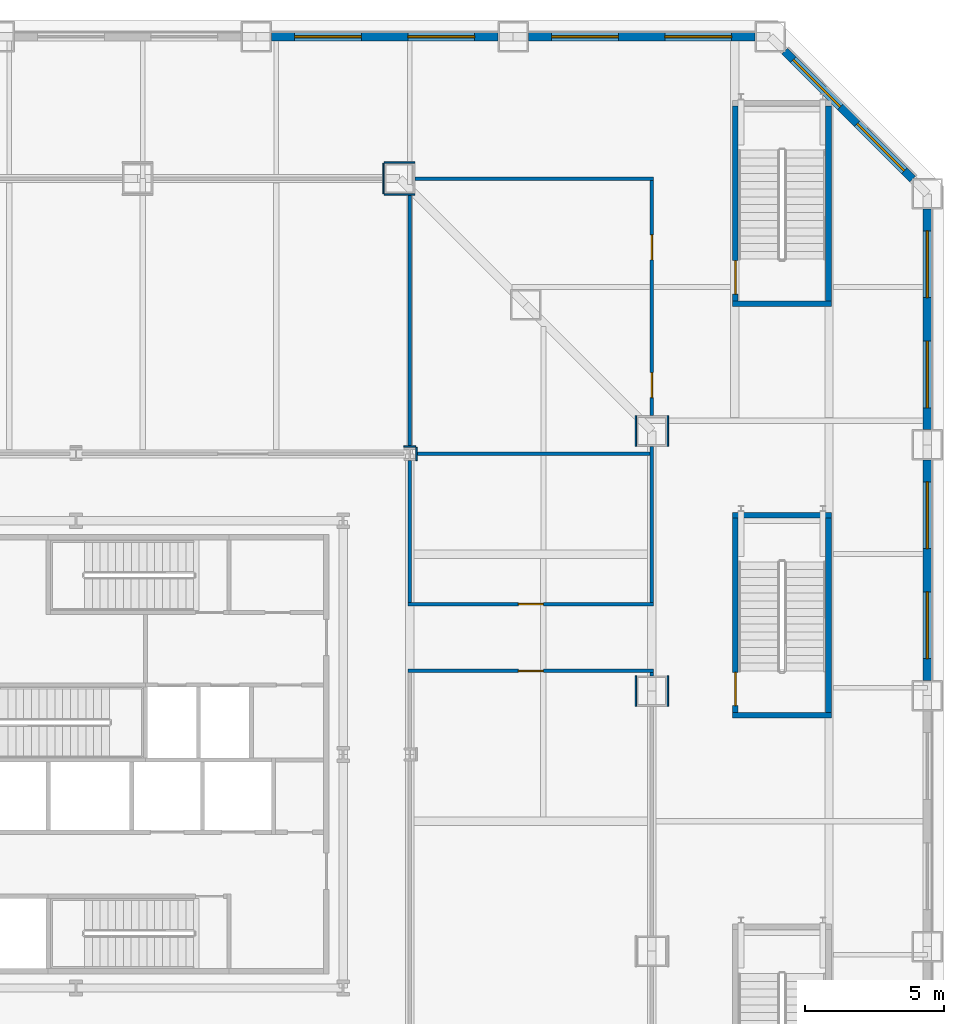
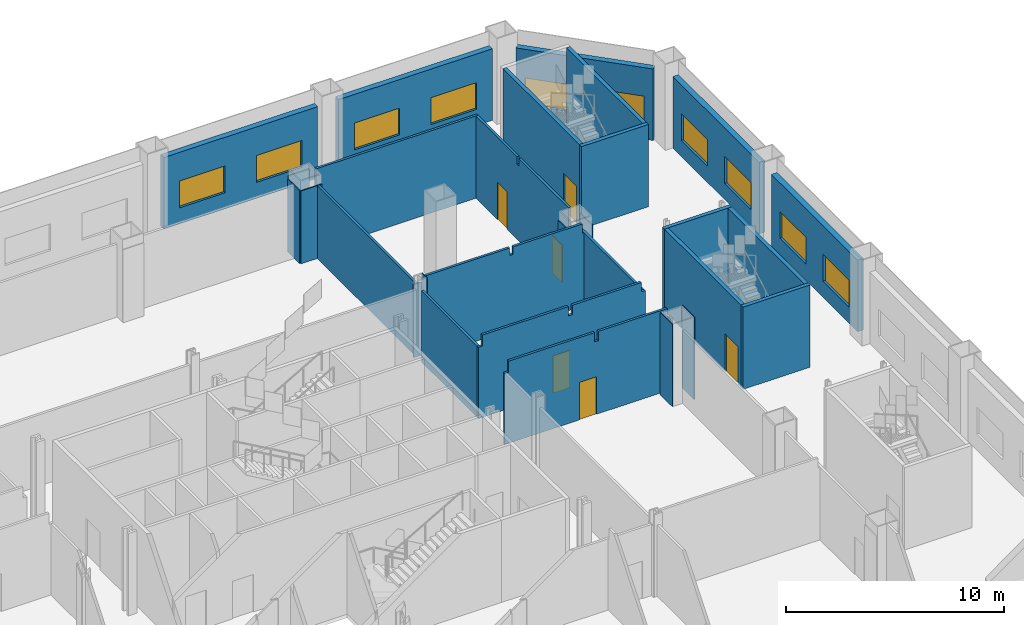
# One storey, part 18 of 25: 30 walls, 10 windows, 6 doors, 16 openings.
"""IFC4 building model written with IfcOpenShell, lengths in metres."""

from ifc_helpers import new_model, si_unit, direction, frame, frame_2d, origin, place, context, subcontext, project, spatial, polyline, rectangle, outline, extrude, material, layer, layer_set, type_object, element, fill, save


model = new_model("IFC4")

# Units and contexts
model_context = context("Model", 3, precision=1e-05, world=origin(), true_north=direction((0.0, 1.0)))
body_context = subcontext(model_context, "Body", "Model", "MODEL_VIEW")
ifc_project = project(units=[si_unit("LENGTHUNIT", "METRE"), si_unit("AREAUNIT", "SQUARE_METRE"), si_unit("VOLUMEUNIT", "CUBIC_METRE"), si_unit("PLANEANGLEUNIT", "RADIAN"), si_unit("MASSUNIT", "GRAM", prefix="KILO")], contexts=[model_context])

# Site, building, storey
site_placement = place(None, origin())
site = spatial("IfcSite", under=ifc_project, at=site_placement, CompositionType="ELEMENT")
building_placement = place(site_placement, origin())
building = spatial("IfcBuilding", under=site, at=building_placement, Name="Cairn Pilgrim Tower", CompositionType="ELEMENT")
storey_placement = place(building_placement, frame((0.0, 0.0, 30.60009765625)))
storey = spatial("IfcBuildingStorey", under=building, at=storey_placement, Name="L05", CompositionType="ELEMENT", Elevation=30.60009765625)

# Wall
ifc_material_1 = material(Name="Gypsum partition")
ifc_layer_1 = layer(ifc_material_1, 0.125)
ifc_layer_set_1 = layer_set([ifc_layer_1], Name="PARTITION 125 DRYWALL EI 60")
wall_type_1 = type_object("IfcWallType", Name="PARTITION 125 DRYWALL EI 60", PredefinedType="PARTITIONING", material=ifc_layer_set_1)
wall_1_placement = place(storey_placement, frame((27.89990234375, 5.2255859375, 0.0), z_axis=(0.0, 0.0, 1.0), x_axis=(0.0, 1.0, 0.0)))
element("IfcWall", 1, at=wall_1_placement, inside=storey, type_object=wall_type_1, Name="PARTITION W043", PredefinedType="PARTITIONING", context=body_context, shape_type="SweptSolid", body=[
    extrude(rectangle(XDim=0.11181640625, YDim=0.125, at=frame_2d((0.055908203125, 0.0))), origin(), (0.0, 0.0, 1.0), 4.079833984375),
])

# Wall, opening, door
wall_2_placement = place(storey_placement, frame((19.137451171875, 5.39990234375, 0.0), z_axis=(0.0, 0.0, 1.0), x_axis=(1.0, 0.0, 0.0)))
wall_2 = element("IfcWall", 2, at=wall_2_placement, inside=storey, type_object=wall_type_1, Name="PARTITION W045", PredefinedType="PARTITIONING", context=body_context, shape_type="SweptSolid", body=[
    extrude(outline(polyline([(0.0, 0.0), (8.824951171875, 0.0), (8.824951171875, 4.079833984375), (8.612548828125, 4.079833984375), (8.610595703125, 4.599853515625), (4.96240234375, 4.599853515625), (4.96044921875, 4.079833984375), (4.762451171875, 4.079833984375), (4.760498046875, 4.599853515625), (0.21240234375, 4.599853515625), (0.21044921875, 3.97998046875), (0.0, 3.97998046875), (0.0, 0.0)])), frame((0.0, 0.0625, 0.0), z_axis=(0.0, -1.0, 0.0), x_axis=(1.0, 0.0, 0.0)), (0.0, 0.0, 1.0), 0.125),
])
opening_1_placement = place(wall_2_placement, frame((3.96240234375, 0.0, 0.0)))
opening_1 = element("IfcOpeningElement", 3, at=opening_1_placement, cuts=wall_2, Name="Opening 0515", PredefinedType="OPENING", context=body_context, shape_type="SweptSolid", body=[
    extrude(rectangle(XDim=0.89990234375, YDim=2.10009765625, at=frame_2d((0.449951171875, 1.050048828125))), frame((0.0, 0.072509765625, 0.0), z_axis=(0.0, -1.0, 0.0), x_axis=(1.0, 0.0, 0.0)), (0.0, 0.0, 1.0), 0.14501953125),
])
ifc_material_2 = material(Name="Timber door leaf", Category="wood")
door_type_1 = type_object("IfcDoorType", Name="SERVICE DOOR 900x2100 FD30S", OperationType="NOTDEFINED", PredefinedType="DOOR", material=ifc_material_2)
door_1_placement = place(opening_1_placement, origin())
door_1 = element("IfcDoor", 4, at=door_1_placement, inside=storey, type_object=door_type_1, Name="DOOR 0515", OperationType="SINGLE_SWING_LEFT", OverallHeight=2.10009765625, OverallWidth=0.89990234375, PredefinedType="DOOR", context=body_context, shape_type="SweptSolid", body=[
    extrude(rectangle(XDim=0.89990234375, YDim=2.10009765625, at=frame_2d((0.449951171875, 1.050048828125))), frame((0.0, 0.02490234375, 0.0), z_axis=(0.0, -1.0, 0.0), x_axis=(1.0, 0.0, 0.0)), (0.0, 0.0, 1.0), 0.050048828125),
])
fill(opening_1, door_1)

wall_3_placement = place(storey_placement, frame((19.137451171875, 7.800048828125, 0.0), z_axis=(0.0, 0.0, 1.0), x_axis=(1.0, 0.0, 0.0)))
wall_3 = element("IfcWall", 5, at=wall_3_placement, inside=storey, type_object=wall_type_1, Name="PARTITION W048", PredefinedType="PARTITIONING", context=body_context, shape_type="SweptSolid", body=[
    extrude(outline(polyline([(0.0, 0.0), (8.824951171875, 0.0), (8.824951171875, 4.079833984375), (8.612548828125, 4.079833984375), (8.610595703125, 4.599853515625), (4.96240234375, 4.599853515625), (4.96044921875, 4.079833984375), (4.762451171875, 4.079833984375), (4.760498046875, 4.599853515625), (0.21240234375, 4.599853515625), (0.21044921875, 3.97998046875), (0.0, 3.97998046875), (0.0, 0.0)])), frame((0.0, 0.0625, 0.0), z_axis=(0.0, -1.0, 0.0), x_axis=(1.0, 0.0, 0.0)), (0.0, 0.0, 1.0), 0.125),
])
opening_2_placement = place(wall_3_placement, frame((3.96240234375, 0.0, 0.0)))
opening_2 = element("IfcOpeningElement", 6, at=opening_2_placement, cuts=wall_3, Name="Opening 0514", PredefinedType="OPENING", context=body_context, shape_type="SweptSolid", body=[
    extrude(rectangle(XDim=0.89990234375, YDim=2.10009765625, at=frame_2d((0.449951171875, 1.050048828125))), frame((0.0, 0.072509765625, 0.0), z_axis=(0.0, -1.0, 0.0), x_axis=(1.0, 0.0, 0.0)), (0.0, 0.0, 1.0), 0.14501953125),
])
door_type_2 = type_object("IfcDoorType", Name="ROOM DOOR 900x2100 FD30S", OperationType="NOTDEFINED", PredefinedType="DOOR", material=ifc_material_2)
door_2_placement = place(opening_2_placement, frame((0.89990234375, 0.0, 0.0), z_axis=(0.0, 0.0, 1.0), x_axis=(-1.0, 0.0, 0.0)))
door_2 = element("IfcDoor", 7, at=door_2_placement, inside=storey, type_object=door_type_2, Name="DOOR 0514", OperationType="SINGLE_SWING_RIGHT", OverallHeight=2.10009765625, OverallWidth=0.89990234375, PredefinedType="DOOR", context=body_context, shape_type="SweptSolid", body=[
    extrude(rectangle(XDim=0.89990234375, YDim=2.10009765625, at=frame_2d((0.449951171875, 1.050048828125))), frame((0.0, 0.02490234375, 0.0), z_axis=(0.0, -1.0, 0.0), x_axis=(1.0, 0.0, 0.0)), (0.0, 0.0, 1.0), 0.050048828125),
])
fill(opening_2, door_2)

# Walls
wall_4_placement = place(storey_placement, frame((19.199951171875, 7.862548828125, 0.0), z_axis=(0.0, 0.0, 1.0), x_axis=(0.0, 1.0, 0.0)))
element("IfcWall", 8, at=wall_4_placement, inside=storey, type_object=wall_type_1, Name="PARTITION W052", PredefinedType="PARTITIONING", context=body_context, shape_type="SweptSolid", body=[
    extrude(rectangle(XDim=5.100341796875, YDim=0.125, at=frame_2d((2.55029296875, 0.0))), origin(), (0.0, 0.0, 1.0), 3.97998046875),
])
wall_5_placement = place(storey_placement, frame((27.89990234375, 7.862548828125, 0.0), z_axis=(0.0, 0.0, 1.0), x_axis=(0.0, 1.0, 0.0)))
element("IfcWall", 9, at=wall_5_placement, inside=storey, type_object=wall_type_1, Name="PARTITION W053", PredefinedType="PARTITIONING", context=body_context, shape_type="SweptSolid", body=[
    extrude(rectangle(XDim=5.61474609375, YDim=0.125, at=frame_2d((2.807373046875, 0.0))), origin(), (0.0, 0.0, 1.0), 4.079833984375),
])
wall_6_placement = place(storey_placement, frame((19.412109375, 13.199951171875, 0.0), z_axis=(0.0, 0.0, 1.0), x_axis=(1.0, 0.0, 0.0)))
element("IfcWall", 10, at=wall_6_placement, inside=storey, type_object=wall_type_1, Name="PARTITION W058", PredefinedType="PARTITIONING", context=body_context, shape_type="SweptSolid", body=[
    extrude(outline(polyline([(0.0, 0.0), (8.42529296875, 0.0), (8.425537109375, 4.079833984375), (8.337890625, 4.079833984375), (8.3359375, 4.599853515625), (4.677978515625, 4.599853515625), (4.676025390625, 4.179931640625), (4.498046875, 4.179931640625), (4.49609375, 4.599853515625), (0.0, 4.599853515625), (0.0, 0.0)])), frame((0.0, 0.0625, 0.0), z_axis=(0.0, -1.0, 0.0), x_axis=(1.0, 0.0, 0.0)), (0.0, 0.0, 1.0), 0.125),
])
wall_7_placement = place(storey_placement, frame((19.199951171875, 13.43701171875, 0.0), z_axis=(0.0, 0.0, 1.0), x_axis=(0.0, 1.0, 0.0)))
element("IfcWall", 11, at=wall_7_placement, inside=storey, type_object=wall_type_1, Name="PARTITION W060", PredefinedType="PARTITIONING", context=body_context, shape_type="SweptSolid", body=[
    extrude(rectangle(XDim=9.113037109375, YDim=0.125, at=frame_2d((4.556640625, 0.0))), origin(), (0.0, 0.0, 1.0), 4.079833984375),
])

# Wall, openings, doors
wall_8_placement = place(storey_placement, frame((27.89990234375, 14.5771484375, 0.0), z_axis=(0.0, 0.0, 1.0), x_axis=(0.0, 1.0, 0.0)))
wall_8 = element("IfcWall", 12, at=wall_8_placement, inside=storey, type_object=wall_type_1, Name="PARTITION W061", PredefinedType="PARTITIONING", context=body_context, shape_type="SweptSolid", body=[
    extrude(outline(polyline([(0.0, 0.0), (8.46044921875, 0.0), (8.460205078125, 4.599853515625), (4.712890625, 4.599853515625), (4.710693359375, 4.179931640625), (4.53271484375, 4.179931640625), (4.53076171875, 4.599853515625), (0.0, 4.599853515625), (0.0, 0.0)])), frame((0.0, 0.0625, 0.0), z_axis=(0.0, -1.0, 0.0), x_axis=(1.0, 0.0, 0.0)), (0.0, 0.0, 1.0), 0.125),
])
opening_3_placement = place(wall_8_placement, frame((0.647705078125, 0.0, 0.0)))
opening_3 = element("IfcOpeningElement", 13, at=opening_3_placement, cuts=wall_8, Name="Opening 0516", PredefinedType="OPENING", context=body_context, shape_type="SweptSolid", body=[
    extrude(rectangle(XDim=0.89990234375, YDim=2.10009765625, at=frame_2d((0.449951171875, 1.050048828125))), frame((0.0, 0.072509765625, 0.0), z_axis=(0.0, -1.0, 0.0), x_axis=(1.0, 0.0, 0.0)), (0.0, 0.0, 1.0), 0.14501953125),
])
opening_4_placement = place(wall_8_placement, frame((5.597900390625, 0.0, 0.0)))
opening_4 = element("IfcOpeningElement", 14, at=opening_4_placement, cuts=wall_8, Name="Opening 0517", PredefinedType="OPENING", context=body_context, shape_type="SweptSolid", body=[
    extrude(rectangle(XDim=0.89990234375, YDim=2.10009765625, at=frame_2d((0.449951171875, 1.050048828125))), frame((0.0, 0.072509765625, 0.0), z_axis=(0.0, -1.0, 0.0), x_axis=(1.0, 0.0, 0.0)), (0.0, 0.0, 1.0), 0.14501953125),
])
door_3_placement = place(opening_3_placement, frame((0.89990234375, 0.0, 0.0), z_axis=(0.0, 0.0, 1.0), x_axis=(-1.0, 0.0, 0.0)))
door_3 = element("IfcDoor", 15, at=door_3_placement, inside=storey, type_object=door_type_2, Name="DOOR 0516", OperationType="SINGLE_SWING_RIGHT", OverallHeight=2.10009765625, OverallWidth=0.89990234375, PredefinedType="DOOR", context=body_context, shape_type="SweptSolid", body=[
    extrude(rectangle(XDim=0.89990234375, YDim=2.10009765625, at=frame_2d((0.449951171875, 1.050048828125))), frame((0.0, 0.02490234375, 0.0), z_axis=(0.0, -1.0, 0.0), x_axis=(1.0, 0.0, 0.0)), (0.0, 0.0, 1.0), 0.050048828125),
])
fill(opening_3, door_3)
door_4_placement = place(opening_4_placement, frame((0.89990234375, 0.0, 0.0), z_axis=(0.0, 0.0, 1.0), x_axis=(-1.0, 0.0, 0.0)))
door_4 = element("IfcDoor", 16, at=door_4_placement, inside=storey, type_object=door_type_2, Name="DOOR 0517", OperationType="SINGLE_SWING_LEFT", OverallHeight=2.10009765625, OverallWidth=0.89990234375, PredefinedType="DOOR", context=body_context, shape_type="SweptSolid", body=[
    extrude(rectangle(XDim=0.89990234375, YDim=2.10009765625, at=frame_2d((0.449951171875, 1.050048828125))), frame((0.0, 0.02490234375, 0.0), z_axis=(0.0, -1.0, 0.0), x_axis=(1.0, 0.0, 0.0)), (0.0, 0.0, 1.0), 0.050048828125),
])
fill(opening_4, door_4)

# Walls
wall_9_placement = place(storey_placement, frame((19.377197265625, 23.10009765625, 0.0), z_axis=(0.0, 0.0, 1.0), x_axis=(1.0, 0.0, 0.0)))
element("IfcWall", 17, at=wall_9_placement, inside=storey, type_object=wall_type_1, Name="PARTITION W073", PredefinedType="PARTITIONING", context=body_context, shape_type="SweptSolid", body=[
    extrude(rectangle(XDim=8.585205078125, YDim=0.125, at=frame_2d((4.29248046875, 0.0))), origin(), (0.0, 0.0, 1.0), 4.599853515625),
])
ifc_layer_2 = layer(ifc_material_1, 0.050048828125)
ifc_layer_set_2 = layer_set([ifc_layer_2], Name="PARTITION 50 DRYWALL EI 60")
wall_type_2 = type_object("IfcWallType", Name="PARTITION 50 DRYWALL EI 60", PredefinedType="PARTITIONING", material=ifc_layer_set_2)
for number, where, z_axis, x_axis, name in (
    (18, (27.324951171875, 4.125732421875, 0.0), (0.0, 0.0, 1.0), (0.0, 1.0, 0.0), "COLUMN CASING WC19"),
    (19, (28.47509765625, 4.125732421875, 0.0), (0.0, 0.0, 1.0), (0.0, 1.0, 0.0), "COLUMN CASING WC20"),
):
    element("IfcWall", number, at=place(storey_placement, frame(where, z_axis=z_axis, x_axis=x_axis)), inside=storey, type_object=wall_type_2, Name=name, PredefinedType="PARTITIONING", context=body_context, shape_type="SweptSolid", body=[
        extrude(rectangle(XDim=1.099853515625, YDim=0.050048828125, at=frame_2d((0.5498046875, 0.0))), origin(), (0.0, 0.0, 1.0), 4.599853515625),
    ])
wall_10_placement = place(storey_placement, frame((19.43701171875, 12.962890625, 0.0), z_axis=(0.0, 0.0, 1.0), x_axis=(0.0, 1.0, 0.0)))
element("IfcWall", 20, at=wall_10_placement, inside=storey, type_object=wall_type_2, Name="COLUMN CASING WC31", PredefinedType="PARTITIONING", context=body_context, shape_type="SweptSolid", body=[
    extrude(rectangle(XDim=0.47412109375, YDim=0.050048828125, at=frame_2d((0.237060546875, 0.0))), origin(), (0.0, 0.0, 1.0), 4.599853515625),
])
for number, where, z_axis, x_axis, name in (
    (21, (27.324951171875, 13.477294921875, 0.0), (0.0, 0.0, 1.0), (0.0, 1.0, 0.0), "COLUMN CASING WC32"),
    (22, (28.47509765625, 13.477294921875, 0.0), (0.0, 0.0, 1.0), (0.0, 1.0, 0.0), "COLUMN CASING WC33"),
):
    element("IfcWall", number, at=place(storey_placement, frame(where, z_axis=z_axis, x_axis=x_axis)), inside=storey, type_object=wall_type_2, Name=name, PredefinedType="PARTITIONING", context=body_context, shape_type="SweptSolid", body=[
        extrude(rectangle(XDim=1.099853515625, YDim=0.050048828125, at=frame_2d((0.5498046875, 0.0))), origin(), (0.0, 0.0, 1.0), 4.079833984375),
    ])
wall_11_placement = place(storey_placement, frame((18.988037109375, 13.4619140625, 0.0), z_axis=(0.0, 0.0, 1.0), x_axis=(1.0, 0.0, 0.0)))
element("IfcWall", 23, at=wall_11_placement, inside=storey, type_object=wall_type_2, Name="COLUMN CASING WC36", PredefinedType="PARTITIONING", context=body_context, shape_type="SweptSolid", body=[
    extrude(rectangle(XDim=0.424072265625, YDim=0.050048828125, at=frame_2d((0.2119140625, 0.0))), origin(), (0.0, 0.0, 1.0), 4.079833984375),
])
wall_12_placement = place(storey_placement, frame((18.252197265625, 22.550048828125, 0.0), z_axis=(0.0, 0.0, 1.0), x_axis=(0.0, 1.0, 0.0)))
element("IfcWall", 24, at=wall_12_placement, inside=storey, type_object=wall_type_2, Name="COLUMN CASING WC37", PredefinedType="PARTITIONING", context=body_context, shape_type="SweptSolid", body=[
    extrude(rectangle(XDim=1.099853515625, YDim=0.050048828125, at=frame_2d((0.5498046875, 0.0))), origin(), (0.0, 0.0, 1.0), 4.079833984375),
])
wall_13_placement = place(storey_placement, frame((18.277099609375, 22.52490234375, 0.0), z_axis=(0.0, 0.0, 1.0), x_axis=(1.0, 0.0, 0.0)))
element("IfcWall", 25, at=wall_13_placement, inside=storey, type_object=wall_type_2, Name="COLUMN CASING WC46", PredefinedType="PARTITIONING", context=body_context, shape_type="SweptSolid", body=[
    extrude(rectangle(XDim=1.10009765625, YDim=0.050048828125, at=frame_2d((0.550048828125, 0.0))), origin(), (0.0, 0.0, 1.0), 4.079833984375),
])
wall_14_placement = place(storey_placement, frame((18.277099609375, 23.675048828125, 0.0), z_axis=(0.0, 0.0, 1.0), x_axis=(1.0, 0.0, 0.0)))
element("IfcWall", 26, at=wall_14_placement, inside=storey, type_object=wall_type_2, Name="COLUMN CASING WC47", PredefinedType="PARTITIONING", context=body_context, shape_type="SweptSolid", body=[
    extrude(rectangle(XDim=1.10009765625, YDim=0.050048828125, at=frame_2d((0.550048828125, 0.0))), origin(), (0.0, 0.0, 1.0), 4.219970703125),
])
ifc_material_3 = material(Name="Concrete C35/45", Category="concrete")
ifc_layer_3 = layer(ifc_material_3, 0.199951171875)
ifc_layer_set_3 = layer_set([ifc_layer_3], Name="PODIUM STAIR WALL 200 EI 120")
wall_type_3 = type_object("IfcWallType", Name="PODIUM STAIR WALL 200 EI 120", PredefinedType="SOLIDWALL", material=ifc_layer_set_3)
wall_15_placement = place(storey_placement, frame((30.800048828125, 3.800048828125, 0.0), z_axis=(0.0, 0.0, 1.0), x_axis=(1.0, 0.0, 0.0)))
element("IfcWall", 27, at=wall_15_placement, inside=storey, type_object=wall_type_3, Name="STAIR SHAFT WALL W040", PredefinedType="SOLIDWALL", context=body_context, shape_type="SweptSolid", body=[
    extrude(rectangle(XDim=3.550048828125, YDim=0.199951171875, at=frame_2d((1.77490234375, 0.0))), origin(), (0.0, 0.0, 1.0), 4.599853515625),
])

# Wall, opening, door
wall_16_placement = place(storey_placement, frame((30.89990234375, 3.89990234375, 0.0), z_axis=(0.0, 0.0, 1.0), x_axis=(0.0, 1.0, 0.0)))
wall_16 = element("IfcWall", 28, at=wall_16_placement, inside=storey, type_object=wall_type_3, Name="STAIR SHAFT WALL W041", PredefinedType="SOLIDWALL", context=body_context, shape_type="SweptSolid", body=[
    extrude(rectangle(XDim=7.0, YDim=0.199951171875, at=frame_2d((3.5, 0.0))), origin(), (0.0, 0.0, 1.0), 4.599853515625),
])
opening_5_placement = place(wall_16_placement, frame((0.25, 0.0, 0.0)))
opening_5 = element("IfcOpeningElement", 29, at=opening_5_placement, cuts=wall_16, Name="Opening 0526", PredefinedType="OPENING", context=body_context, shape_type="SweptSolid", body=[
    extrude(rectangle(XDim=1.199951171875, YDim=2.10009765625, at=frame_2d((0.60009765625, 1.050048828125))), frame((0.0, 0.10986328125, 0.0), z_axis=(0.0, -1.0, 0.0), x_axis=(1.0, 0.0, 0.0)), (0.0, 0.0, 1.0), 0.219970703125),
])
ifc_material_4 = material(Name="Steel-faced fire door leaf", Category="steel")
door_type_3 = type_object("IfcDoorType", Name="FIRE DOOR 1200x2100 FD60S", OperationType="NOTDEFINED", PredefinedType="DOOR", material=ifc_material_4)
door_5_placement = place(opening_5_placement, frame((1.199951171875, 0.0, 0.0), z_axis=(0.0, 0.0, 1.0), x_axis=(-1.0, 0.0, 0.0)))
door_5 = element("IfcDoor", 30, at=door_5_placement, inside=storey, type_object=door_type_3, Name="DOOR 0526", OperationType="SINGLE_SWING_LEFT", OverallHeight=2.10009765625, OverallWidth=1.199951171875, PredefinedType="DOOR", context=body_context, shape_type="SweptSolid", body=[
    extrude(rectangle(XDim=1.199951171875, YDim=2.10009765625, at=frame_2d((0.60009765625, 1.050048828125))), frame((0.0, 0.02490234375, 0.0), z_axis=(0.0, -1.0, 0.0), x_axis=(1.0, 0.0, 0.0)), (0.0, 0.0, 1.0), 0.050048828125),
])
fill(opening_5, door_5)

# Walls
wall_17_placement = place(storey_placement, frame((34.25, 3.89990234375, 0.0), z_axis=(0.0, 0.0, 1.0), x_axis=(0.0, 1.0, 0.0)))
element("IfcWall", 31, at=wall_17_placement, inside=storey, type_object=wall_type_3, Name="STAIR SHAFT WALL W042", PredefinedType="SOLIDWALL", context=body_context, shape_type="SweptSolid", body=[
    extrude(rectangle(XDim=7.0, YDim=0.199951171875, at=frame_2d((3.5, 0.0))), origin(), (0.0, 0.0, 1.0), 4.599853515625),
])
for number, where, z_axis, x_axis, name in (
    (32, (30.800048828125, 11.0, 0.0), (0.0, 0.0, 1.0), (1.0, 0.0, 0.0), "STAIR SHAFT WALL W055"),
    (33, (30.800048828125, 18.60009765625, 0.0), (0.0, 0.0, 1.0), (1.0, 0.0, 0.0), "STAIR SHAFT WALL W062"),
):
    element("IfcWall", number, at=place(storey_placement, frame(where, z_axis=z_axis, x_axis=x_axis)), inside=storey, type_object=wall_type_3, Name=name, PredefinedType="SOLIDWALL", context=body_context, shape_type="SweptSolid", body=[
        extrude(rectangle(XDim=3.550048828125, YDim=0.199951171875, at=frame_2d((1.77490234375, 0.0))), origin(), (0.0, 0.0, 1.0), 4.599853515625),
    ])

# Wall, opening, door
wall_18_placement = place(storey_placement, frame((30.89990234375, 18.699951171875, 0.0), z_axis=(0.0, 0.0, 1.0), x_axis=(0.0, 1.0, 0.0)))
wall_18 = element("IfcWall", 34, at=wall_18_placement, inside=storey, type_object=wall_type_3, Name="STAIR SHAFT WALL W063", PredefinedType="SOLIDWALL", context=body_context, shape_type="SweptSolid", body=[
    extrude(rectangle(XDim=7.0, YDim=0.199951171875, at=frame_2d((3.5, 0.0))), origin(), (0.0, 0.0, 1.0), 4.599853515625),
])
opening_6_placement = place(wall_18_placement, frame((0.25, 0.0, 0.0)))
opening_6 = element("IfcOpeningElement", 35, at=opening_6_placement, cuts=wall_18, Name="Opening 0527", PredefinedType="OPENING", context=body_context, shape_type="SweptSolid", body=[
    extrude(rectangle(XDim=1.199951171875, YDim=2.10009765625, at=frame_2d((0.60009765625, 1.050048828125))), frame((0.0, 0.10986328125, 0.0), z_axis=(0.0, -1.0, 0.0), x_axis=(1.0, 0.0, 0.0)), (0.0, 0.0, 1.0), 0.219970703125),
])
door_6_placement = place(opening_6_placement, frame((1.199951171875, 0.0, 0.0), z_axis=(0.0, 0.0, 1.0), x_axis=(-1.0, 0.0, 0.0)))
door_6 = element("IfcDoor", 36, at=door_6_placement, inside=storey, type_object=door_type_3, Name="DOOR 0527", OperationType="SINGLE_SWING_RIGHT", OverallHeight=2.10009765625, OverallWidth=1.199951171875, PredefinedType="DOOR", context=body_context, shape_type="SweptSolid", body=[
    extrude(rectangle(XDim=1.199951171875, YDim=2.10009765625, at=frame_2d((0.60009765625, 1.050048828125))), frame((0.0, 0.02490234375, 0.0), z_axis=(0.0, -1.0, 0.0), x_axis=(1.0, 0.0, 0.0)), (0.0, 0.0, 1.0), 0.050048828125),
])
fill(opening_6, door_6)

# Wall
wall_19_placement = place(storey_placement, frame((34.25, 18.699951171875, 0.0), z_axis=(0.0, 0.0, 1.0), x_axis=(0.0, 1.0, 0.0)))
element("IfcWall", 37, at=wall_19_placement, inside=storey, type_object=wall_type_3, Name="STAIR SHAFT WALL W064", PredefinedType="SOLIDWALL", context=body_context, shape_type="SweptSolid", body=[
    extrude(rectangle(XDim=7.0, YDim=0.199951171875, at=frame_2d((3.5, 0.0))), origin(), (0.0, 0.0, 1.0), 4.599853515625),
])

# Wall, openings, windows
ifc_material_5 = material(Name="Concrete C35/45 backup wall with bronze aluminium cladding", Category="concrete")
ifc_layer_4 = layer(ifc_material_5, 0.300048828125)
ifc_layer_set_4 = layer_set([ifc_layer_4], Name="PODIUM WALL 300 BRONZE-CLAD")
wall_type_4 = type_object("IfcWallType", Name="PODIUM WALL 300 BRONZE-CLAD", PredefinedType="SOLIDWALL", material=ifc_layer_set_4)
wall_20_placement = place(storey_placement, frame((37.800048828125, 5.060302734375, 0.0), z_axis=(0.0, 0.0, 1.0), x_axis=(0.0, 1.0, 0.0)))
wall_20 = element("IfcWall", 38, at=wall_20_placement, inside=storey, type_object=wall_type_4, Name="PODIUM EXTERNAL WALL E4-E5", PredefinedType="SOLIDWALL", context=body_context, shape_type="SweptSolid", body=[
    extrude(rectangle(XDim=7.920654296875, YDim=0.300048828125, at=frame_2d((3.96044921875, 0.0))), origin(), (0.0, 0.0, 1.0), 4.0),
])
opening_7_placement = place(wall_20_placement, frame((0.780029296875, 0.0, 0.89990234375)))
opening_7 = element("IfcOpeningElement", 39, at=opening_7_placement, cuts=wall_20, Name="Opening PW15", PredefinedType="OPENING", context=body_context, shape_type="SweptSolid", body=[
    extrude(rectangle(XDim=2.39990234375, YDim=1.5, at=frame_2d((1.199951171875, 0.75))), frame((0.0, 0.16015625, 0.0), z_axis=(0.0, -1.0, 0.0), x_axis=(1.0, 0.0, 0.0)), (0.0, 0.0, 1.0), 0.320068359375),
])
opening_8_placement = place(wall_20_placement, frame((4.740478515625, 0.0, 0.89990234375)))
opening_8 = element("IfcOpeningElement", 40, at=opening_8_placement, cuts=wall_20, Name="Opening PW15", PredefinedType="OPENING", context=body_context, shape_type="SweptSolid", body=[
    extrude(rectangle(XDim=2.39990234375, YDim=1.5, at=frame_2d((1.199951171875, 0.75))), frame((0.0, 0.16015625, 0.0), z_axis=(0.0, -1.0, 0.0), x_axis=(1.0, 0.0, 0.0)), (0.0, 0.0, 1.0), 0.320068359375),
])
ifc_material_6 = material(Name="Bronze anodised aluminium frame with tinted low-E glass", Category="aluminium")
window_type = type_object("IfcWindowType", Name="PODIUM FIXED WINDOW 2400x1500", PartitioningType="SINGLE_PANEL", PredefinedType="WINDOW", material=ifc_material_6)
window_1_placement = place(opening_7_placement, origin())
window_1 = element("IfcWindow", 41, at=window_1_placement, inside=storey, type_object=window_type, Name="PODIUM WINDOW", OverallHeight=1.5, OverallWidth=2.39990234375, PartitioningType="SINGLE_PANEL", PredefinedType="WINDOW", context=body_context, shape_type="SweptSolid", body=[
    extrude(rectangle(XDim=2.39990234375, YDim=1.5, at=frame_2d((1.199951171875, 0.75))), frame((0.0, 0.030029296875, 0.0), z_axis=(0.0, -1.0, 0.0), x_axis=(1.0, 0.0, 0.0)), (0.0, 0.0, 1.0), 0.06005859375),
])
fill(opening_7, window_1)
window_2_placement = place(opening_8_placement, origin())
window_2 = element("IfcWindow", 42, at=window_2_placement, inside=storey, type_object=window_type, Name="PODIUM WINDOW", OverallHeight=1.5, OverallWidth=2.39990234375, PartitioningType="SINGLE_PANEL", PredefinedType="WINDOW", context=body_context, shape_type="SweptSolid", body=[
    extrude(rectangle(XDim=2.39990234375, YDim=1.5, at=frame_2d((1.199951171875, 0.75))), frame((0.0, 0.030029296875, 0.0), z_axis=(0.0, -1.0, 0.0), x_axis=(1.0, 0.0, 0.0)), (0.0, 0.0, 1.0), 0.06005859375),
])
fill(opening_8, window_2)

wall_21_placement = place(storey_placement, frame((37.800048828125, 14.080810546875, 0.0), z_axis=(0.0, 0.0, 1.0), x_axis=(0.0, 1.0, 0.0)))
wall_21 = element("IfcWall", 43, at=wall_21_placement, inside=storey, type_object=wall_type_4, Name="PODIUM EXTERNAL WALL E5-NE1", PredefinedType="SOLIDWALL", context=body_context, shape_type="SweptSolid", body=[
    extrude(rectangle(XDim=7.920654296875, YDim=0.300048828125, at=frame_2d((3.96044921875, 0.0))), origin(), (0.0, 0.0, 1.0), 4.0),
])
opening_9_placement = place(wall_21_placement, frame((0.780029296875, 0.0, 0.89990234375)))
opening_9 = element("IfcOpeningElement", 44, at=opening_9_placement, cuts=wall_21, Name="Opening PW15", PredefinedType="OPENING", context=body_context, shape_type="SweptSolid", body=[
    extrude(rectangle(XDim=2.39990234375, YDim=1.5, at=frame_2d((1.199951171875, 0.75))), frame((0.0, 0.16015625, 0.0), z_axis=(0.0, -1.0, 0.0), x_axis=(1.0, 0.0, 0.0)), (0.0, 0.0, 1.0), 0.320068359375),
])
opening_10_placement = place(wall_21_placement, frame((4.740478515625, 0.0, 0.89990234375)))
opening_10 = element("IfcOpeningElement", 45, at=opening_10_placement, cuts=wall_21, Name="Opening PW15", PredefinedType="OPENING", context=body_context, shape_type="SweptSolid", body=[
    extrude(rectangle(XDim=2.39990234375, YDim=1.5, at=frame_2d((1.199951171875, 0.75))), frame((0.0, 0.16015625, 0.0), z_axis=(0.0, -1.0, 0.0), x_axis=(1.0, 0.0, 0.0)), (0.0, 0.0, 1.0), 0.320068359375),
])
window_3_placement = place(opening_9_placement, origin())
window_3 = element("IfcWindow", 46, at=window_3_placement, inside=storey, type_object=window_type, Name="PODIUM WINDOW", OverallHeight=1.5, OverallWidth=2.39990234375, PartitioningType="SINGLE_PANEL", PredefinedType="WINDOW", context=body_context, shape_type="SweptSolid", body=[
    extrude(rectangle(XDim=2.39990234375, YDim=1.5, at=frame_2d((1.199951171875, 0.75))), frame((0.0, 0.030029296875, 0.0), z_axis=(0.0, -1.0, 0.0), x_axis=(1.0, 0.0, 0.0)), (0.0, 0.0, 1.0), 0.06005859375),
])
fill(opening_9, window_3)
window_4_placement = place(opening_10_placement, origin())
window_4 = element("IfcWindow", 47, at=window_4_placement, inside=storey, type_object=window_type, Name="PODIUM WINDOW", OverallHeight=1.5, OverallWidth=2.39990234375, PartitioningType="SINGLE_PANEL", PredefinedType="WINDOW", context=body_context, shape_type="SweptSolid", body=[
    extrude(rectangle(XDim=2.39990234375, YDim=1.5, at=frame_2d((1.199951171875, 0.75))), frame((0.0, 0.030029296875, 0.0), z_axis=(0.0, -1.0, 0.0), x_axis=(1.0, 0.0, 0.0)), (0.0, 0.0, 1.0), 0.06005859375),
])
fill(opening_10, window_4)

wall_22_placement = place(storey_placement, frame((37.276611328125, 23.07470703125, 0.0), z_axis=(0.0, 0.0, 1.0), x_axis=(-0.707088024292, 0.707125537583, 0.0)))
wall_22 = element("IfcWall", 48, at=wall_22_placement, inside=storey, type_object=wall_type_4, Name="PODIUM EXTERNAL WALL NE1-N1", PredefinedType="SOLIDWALL", context=body_context, shape_type="SweptSolid", body=[
    extrude(rectangle(XDim=6.508056640625, YDim=0.300048828125, at=frame_2d((3.25390625, 0.0))), origin(), (0.0, 0.0, 1.0), 4.0),
])
opening_11_placement = place(wall_22_placement, frame((0.427001953125, 0.0, 0.89990234375)))
opening_11 = element("IfcOpeningElement", 49, at=opening_11_placement, cuts=wall_22, Name="Opening PW15", PredefinedType="OPENING", context=body_context, shape_type="SweptSolid", body=[
    extrude(rectangle(XDim=2.39990234375, YDim=1.5, at=frame_2d((1.199951171875, 0.75))), frame((0.0, 0.16015625, 0.0), z_axis=(0.0, -1.0, 0.0), x_axis=(1.0, 0.0, 0.0)), (0.0, 0.0, 1.0), 0.320068359375),
])
opening_12_placement = place(wall_22_placement, frame((3.68115234375, 0.0, 0.89990234375)))
opening_12 = element("IfcOpeningElement", 50, at=opening_12_placement, cuts=wall_22, Name="Opening PW15", PredefinedType="OPENING", context=body_context, shape_type="SweptSolid", body=[
    extrude(rectangle(XDim=2.39990234375, YDim=1.5, at=frame_2d((1.199951171875, 0.75))), frame((0.0, 0.16015625, 0.0), z_axis=(0.0, -1.0, 0.0), x_axis=(1.0, 0.0, 0.0)), (0.0, 0.0, 1.0), 0.320068359375),
])
window_5_placement = place(opening_11_placement, origin())
window_5 = element("IfcWindow", 51, at=window_5_placement, inside=storey, type_object=window_type, Name="PODIUM WINDOW", OverallHeight=1.5, OverallWidth=2.39990234375, PartitioningType="SINGLE_PANEL", PredefinedType="WINDOW", context=body_context, shape_type="SweptSolid", body=[
    extrude(rectangle(XDim=2.39990234375, YDim=1.5, at=frame_2d((1.199951171875, 0.75))), frame((0.0, 0.030029296875, 0.0), z_axis=(0.0, -1.0, 0.0), x_axis=(1.0, 0.0, 0.0)), (0.0, 0.0, 1.0), 0.06005859375),
])
fill(opening_11, window_5)
window_6_placement = place(opening_12_placement, origin())
window_6 = element("IfcWindow", 52, at=window_6_placement, inside=storey, type_object=window_type, Name="PODIUM WINDOW", OverallHeight=1.5, OverallWidth=2.39990234375, PartitioningType="SINGLE_PANEL", PredefinedType="WINDOW", context=body_context, shape_type="SweptSolid", body=[
    extrude(rectangle(XDim=2.39990234375, YDim=1.5, at=frame_2d((1.199951171875, 0.75))), frame((0.0, 0.030029296875, 0.0), z_axis=(0.0, -1.0, 0.0), x_axis=(1.0, 0.0, 0.0)), (0.0, 0.0, 1.0), 0.06005859375),
])
fill(opening_12, window_6)

wall_23_placement = place(storey_placement, frame((31.6015625, 28.199951171875, 0.0), z_axis=(0.0, 0.0, 1.0), x_axis=(-1.0, 0.0, 0.0)))
wall_23 = element("IfcWall", 53, at=wall_23_placement, inside=storey, type_object=wall_type_4, Name="PODIUM EXTERNAL WALL N1-N2", PredefinedType="SOLIDWALL", context=body_context, shape_type="SweptSolid", body=[
    extrude(rectangle(XDim=8.137939453125, YDim=0.300048828125, at=frame_2d((4.06884765625, 0.0))), origin(), (0.0, 0.0, 1.0), 4.0),
])
opening_13_placement = place(wall_23_placement, frame((0.83447265625, 0.0, 0.89990234375)))
opening_13 = element("IfcOpeningElement", 54, at=opening_13_placement, cuts=wall_23, Name="Opening PW15", PredefinedType="OPENING", context=body_context, shape_type="SweptSolid", body=[
    extrude(rectangle(XDim=2.39990234375, YDim=1.5, at=frame_2d((1.199951171875, 0.75))), frame((0.0, 0.16015625, 0.0), z_axis=(0.0, -1.0, 0.0), x_axis=(1.0, 0.0, 0.0)), (0.0, 0.0, 1.0), 0.320068359375),
])
opening_14_placement = place(wall_23_placement, frame((4.9033203125, 0.0, 0.89990234375)))
opening_14 = element("IfcOpeningElement", 55, at=opening_14_placement, cuts=wall_23, Name="Opening PW15", PredefinedType="OPENING", context=body_context, shape_type="SweptSolid", body=[
    extrude(rectangle(XDim=2.39990234375, YDim=1.5, at=frame_2d((1.199951171875, 0.75))), frame((0.0, 0.16015625, 0.0), z_axis=(0.0, -1.0, 0.0), x_axis=(1.0, 0.0, 0.0)), (0.0, 0.0, 1.0), 0.320068359375),
])
window_7_placement = place(opening_13_placement, origin())
window_7 = element("IfcWindow", 56, at=window_7_placement, inside=storey, type_object=window_type, Name="PODIUM WINDOW", OverallHeight=1.5, OverallWidth=2.39990234375, PartitioningType="SINGLE_PANEL", PredefinedType="WINDOW", context=body_context, shape_type="SweptSolid", body=[
    extrude(rectangle(XDim=2.39990234375, YDim=1.5, at=frame_2d((1.199951171875, 0.75))), frame((0.0, 0.030029296875, 0.0), z_axis=(0.0, -1.0, 0.0), x_axis=(1.0, 0.0, 0.0)), (0.0, 0.0, 1.0), 0.06005859375),
])
fill(opening_13, window_7)
window_8_placement = place(opening_14_placement, origin())
window_8 = element("IfcWindow", 57, at=window_8_placement, inside=storey, type_object=window_type, Name="PODIUM WINDOW", OverallHeight=1.5, OverallWidth=2.39990234375, PartitioningType="SINGLE_PANEL", PredefinedType="WINDOW", context=body_context, shape_type="SweptSolid", body=[
    extrude(rectangle(XDim=2.39990234375, YDim=1.5, at=frame_2d((1.199951171875, 0.75))), frame((0.0, 0.030029296875, 0.0), z_axis=(0.0, -1.0, 0.0), x_axis=(1.0, 0.0, 0.0)), (0.0, 0.0, 1.0), 0.06005859375),
])
fill(opening_14, window_8)

wall_24_placement = place(storey_placement, frame((22.363525390625, 28.199951171875, 0.0), z_axis=(0.0, 0.0, 1.0), x_axis=(-1.0, 0.0, 0.0)))
wall_24 = element("IfcWall", 58, at=wall_24_placement, inside=storey, type_object=wall_type_4, Name="PODIUM EXTERNAL WALL N2-N3", PredefinedType="SOLIDWALL", context=body_context, shape_type="SweptSolid", body=[
    extrude(rectangle(XDim=8.137939453125, YDim=0.300048828125, at=frame_2d((4.06884765625, 0.0))), origin(), (0.0, 0.0, 1.0), 4.0),
])
opening_15_placement = place(wall_24_placement, frame((0.83447265625, 0.0, 0.89990234375)))
opening_15 = element("IfcOpeningElement", 59, at=opening_15_placement, cuts=wall_24, Name="Opening PW15", PredefinedType="OPENING", context=body_context, shape_type="SweptSolid", body=[
    extrude(rectangle(XDim=2.39990234375, YDim=1.5, at=frame_2d((1.199951171875, 0.75))), frame((0.0, 0.16015625, 0.0), z_axis=(0.0, -1.0, 0.0), x_axis=(1.0, 0.0, 0.0)), (0.0, 0.0, 1.0), 0.320068359375),
])
opening_16_placement = place(wall_24_placement, frame((4.9033203125, 0.0, 0.89990234375)))
opening_16 = element("IfcOpeningElement", 60, at=opening_16_placement, cuts=wall_24, Name="Opening PW15", PredefinedType="OPENING", context=body_context, shape_type="SweptSolid", body=[
    extrude(rectangle(XDim=2.39990234375, YDim=1.5, at=frame_2d((1.199951171875, 0.75))), frame((0.0, 0.16015625, 0.0), z_axis=(0.0, -1.0, 0.0), x_axis=(1.0, 0.0, 0.0)), (0.0, 0.0, 1.0), 0.320068359375),
])
window_9_placement = place(opening_15_placement, origin())
window_9 = element("IfcWindow", 61, at=window_9_placement, inside=storey, type_object=window_type, Name="PODIUM WINDOW", OverallHeight=1.5, OverallWidth=2.39990234375, PartitioningType="SINGLE_PANEL", PredefinedType="WINDOW", context=body_context, shape_type="SweptSolid", body=[
    extrude(rectangle(XDim=2.39990234375, YDim=1.5, at=frame_2d((1.199951171875, 0.75))), frame((0.0, 0.030029296875, 0.0), z_axis=(0.0, -1.0, 0.0), x_axis=(1.0, 0.0, 0.0)), (0.0, 0.0, 1.0), 0.06005859375),
])
fill(opening_15, window_9)
window_10_placement = place(opening_16_placement, origin())
window_10 = element("IfcWindow", 62, at=window_10_placement, inside=storey, type_object=window_type, Name="PODIUM WINDOW", OverallHeight=1.5, OverallWidth=2.39990234375, PartitioningType="SINGLE_PANEL", PredefinedType="WINDOW", context=body_context, shape_type="SweptSolid", body=[
    extrude(rectangle(XDim=2.39990234375, YDim=1.5, at=frame_2d((1.199951171875, 0.75))), frame((0.0, 0.030029296875, 0.0), z_axis=(0.0, -1.0, 0.0), x_axis=(1.0, 0.0, 0.0)), (0.0, 0.0, 1.0), 0.06005859375),
])
fill(opening_16, window_10)

save(model, "model.ifc")
